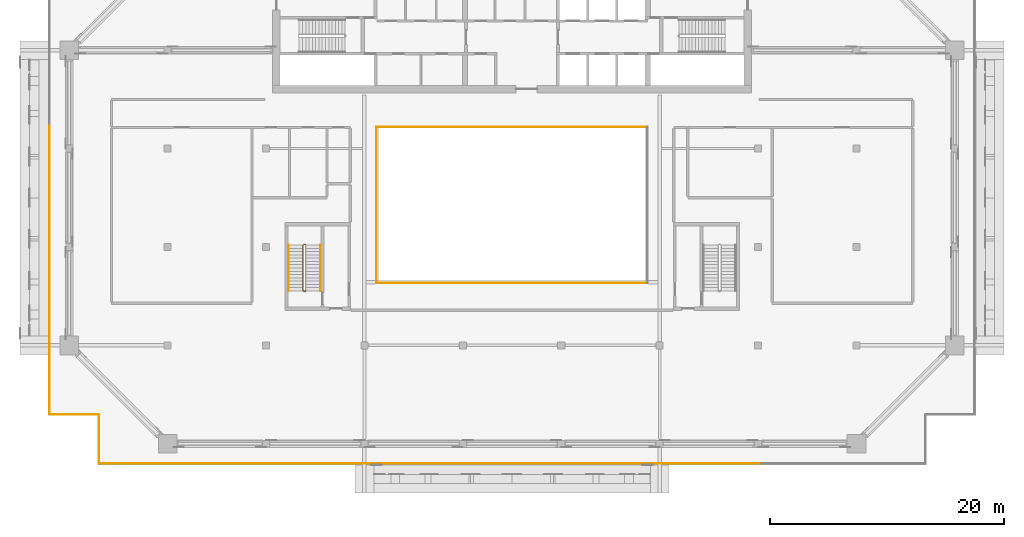
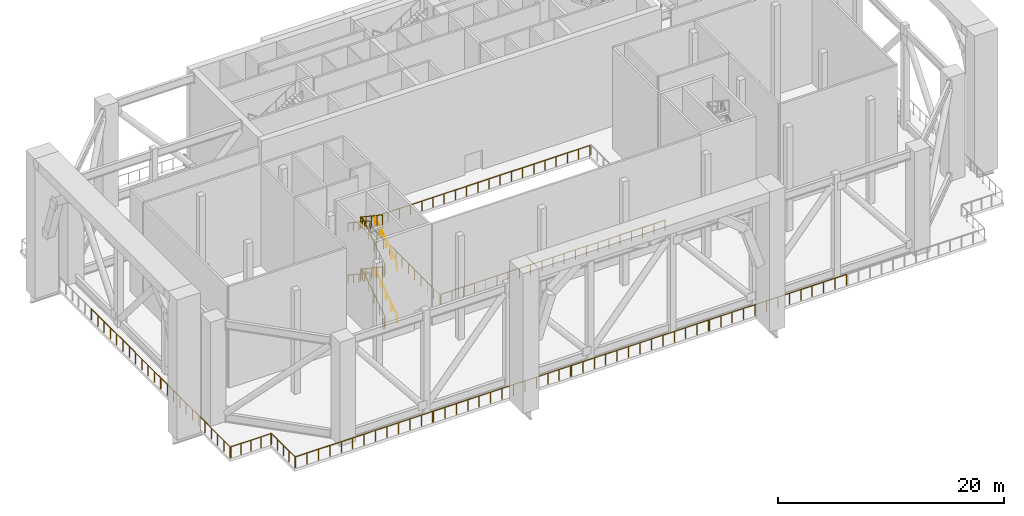
# One storey, part 16 of 19: 16 railings.
"""IFC4 building model written with IfcOpenShell, lengths in metres."""

from ifc_helpers import new_model, si_unit, direction, frame, origin, origin_2d, place, context, subcontext, project, spatial, circle, extrude, material, type_object, element, save


model = new_model("IFC4")

# Units and contexts
model_context = context("Model", 3, precision=1e-05, world=origin(), true_north=direction((0.0, 1.0)))
body_context = subcontext(model_context, "Body", "Model", "MODEL_VIEW")
ifc_project = project(units=[si_unit("LENGTHUNIT", "METRE"), si_unit("AREAUNIT", "SQUARE_METRE"), si_unit("VOLUMEUNIT", "CUBIC_METRE"), si_unit("PLANEANGLEUNIT", "RADIAN"), si_unit("MASSUNIT", "GRAM", prefix="KILO")], contexts=[model_context])

# Site, building, storey
site_placement = place(None, origin())
site = spatial("IfcSite", under=ifc_project, at=site_placement, CompositionType="ELEMENT")
building_placement = place(site_placement, origin())
building = spatial("IfcBuilding", under=site, at=building_placement, Name="Saffron Gate Tower", CompositionType="ELEMENT")
storey_placement = place(building_placement, frame((0.0, 0.0, 194.25)))
storey = spatial("IfcBuildingStorey", under=building, at=storey_placement, Name="L48", CompositionType="ELEMENT", Elevation=194.25)

# Railings
ifc_material_1 = material(Name="Stainless steel and laminated glass", Category="steel")
railing_type_1 = type_object("IfcRailingType", Name="AG1 Atrium edge guard 1100", PredefinedType="GUARDRAIL", material=ifc_material_1)
railing_1_placement = place(storey_placement, frame((76.02001953125, 45.5400390625, 0.0)))
element("IfcRailing", 1, at=railing_1_placement, inside=storey, type_object=railing_type_1, Name="Guard X2-1", PredefinedType="GUARDRAIL", context=body_context, shape_type="SweptSolid", body=[
    extrude(circle(Radius=0.02392578125, at=origin_2d()), frame((0.0, 0.0, 1.076171875), z_axis=(0.0, 1.0, 0.0), x_axis=(-1.0, 0.0, 0.0)), (0.0, 0.0, 1.0), 13.320068359375),
    extrude(circle(Radius=0.02099609375, at=origin_2d()), origin(), (0.0, 0.0, 1.0), 1.052001953125),
    extrude(circle(Radius=0.02099609375, at=origin_2d()), frame((0.0, 1.110107421875, 0.0)), (0.0, 0.0, 1.0), 1.052001953125),
    extrude(circle(Radius=0.02099609375, at=origin_2d()), frame((0.0, 2.219970703125, 0.0)), (0.0, 0.0, 1.0), 1.052001953125),
    extrude(circle(Radius=0.02099609375, at=origin_2d()), frame((0.0, 3.330078125, 0.0)), (0.0, 0.0, 1.0), 1.052001953125),
    extrude(circle(Radius=0.02099609375, at=origin_2d()), frame((0.0, 4.43994140625, 0.0)), (0.0, 0.0, 1.0), 1.052001953125),
    extrude(circle(Radius=0.02099609375, at=origin_2d()), frame((0.0, 5.550048828125, 0.0)), (0.0, 0.0, 1.0), 1.052001953125),
    extrude(circle(Radius=0.02099609375, at=origin_2d()), frame((0.0, 6.66015625, 0.0)), (0.0, 0.0, 1.0), 1.052001953125),
    extrude(circle(Radius=0.02099609375, at=origin_2d()), frame((0.0, 7.77001953125, 0.0)), (0.0, 0.0, 1.0), 1.052001953125),
    extrude(circle(Radius=0.02099609375, at=origin_2d()), frame((0.0, 8.880126953125, 0.0)), (0.0, 0.0, 1.0), 1.052001953125),
    extrude(circle(Radius=0.02099609375, at=origin_2d()), frame((0.0, 9.989990234375, 0.0)), (0.0, 0.0, 1.0), 1.052001953125),
    extrude(circle(Radius=0.02099609375, at=origin_2d()), frame((0.0, 11.10009765625, 0.0)), (0.0, 0.0, 1.0), 1.052001953125),
    extrude(circle(Radius=0.02099609375, at=origin_2d()), frame((0.0, 12.2099609375, 0.0)), (0.0, 0.0, 1.0), 1.052001953125),
    extrude(circle(Radius=0.02099609375, at=origin_2d()), frame((0.0, 13.320068359375, 0.0)), (0.0, 0.0, 1.0), 1.052001953125),
])
railing_2_placement = place(storey_placement, frame((76.139892578125, 58.860107421875, 0.0)))
element("IfcRailing", 2, at=railing_2_placement, inside=storey, type_object=railing_type_1, Name="Guard X2-2", PredefinedType="GUARDRAIL", context=body_context, shape_type="SweptSolid", body=[
    extrude(circle(Radius=0.02392578125, at=origin_2d()), frame((0.0, 0.0, 1.076171875), z_axis=(1.0, 0.0, 0.0), x_axis=(0.0, 1.0, 0.0)), (0.0, 0.0, 1.0), 22.920166015625),
    extrude(circle(Radius=0.02099609375, at=origin_2d()), origin(), (0.0, 0.0, 1.0), 1.052001953125),
    extrude(circle(Radius=0.02099609375, at=origin_2d()), frame((1.14599609375, 0.0, 0.0)), (0.0, 0.0, 1.0), 1.052001953125),
    extrude(circle(Radius=0.02099609375, at=origin_2d()), frame((2.2919921875, 0.0, 0.0)), (0.0, 0.0, 1.0), 1.052001953125),
    extrude(circle(Radius=0.02099609375, at=origin_2d()), frame((3.43798828125, 0.0, 0.0)), (0.0, 0.0, 1.0), 1.052001953125),
    extrude(circle(Radius=0.02099609375, at=origin_2d()), frame((4.583984375, 0.0, 0.0)), (0.0, 0.0, 1.0), 1.052001953125),
    extrude(circle(Radius=0.02099609375, at=origin_2d()), frame((5.72998046875, 0.0, 0.0)), (0.0, 0.0, 1.0), 1.052001953125),
    extrude(circle(Radius=0.02099609375, at=origin_2d()), frame((6.8759765625, 0.0, 0.0)), (0.0, 0.0, 1.0), 1.052001953125),
    extrude(circle(Radius=0.02099609375, at=origin_2d()), frame((8.02197265625, 0.0, 0.0)), (0.0, 0.0, 1.0), 1.052001953125),
    extrude(circle(Radius=0.02099609375, at=origin_2d()), frame((9.16796875, 0.0, 0.0)), (0.0, 0.0, 1.0), 1.052001953125),
    extrude(circle(Radius=0.02099609375, at=origin_2d()), frame((10.31396484375, 0.0, 0.0)), (0.0, 0.0, 1.0), 1.052001953125),
    extrude(circle(Radius=0.02099609375, at=origin_2d()), frame((11.4599609375, 0.0, 0.0)), (0.0, 0.0, 1.0), 1.052001953125),
    extrude(circle(Radius=0.02099609375, at=origin_2d()), frame((12.606201171875, 0.0, 0.0)), (0.0, 0.0, 1.0), 1.052001953125),
    extrude(circle(Radius=0.02099609375, at=origin_2d()), frame((13.752197265625, 0.0, 0.0)), (0.0, 0.0, 1.0), 1.052001953125),
    extrude(circle(Radius=0.02099609375, at=origin_2d()), frame((14.898193359375, 0.0, 0.0)), (0.0, 0.0, 1.0), 1.052001953125),
    extrude(circle(Radius=0.02099609375, at=origin_2d()), frame((16.044189453125, 0.0, 0.0)), (0.0, 0.0, 1.0), 1.052001953125),
    extrude(circle(Radius=0.02099609375, at=origin_2d()), frame((17.190185546875, 0.0, 0.0)), (0.0, 0.0, 1.0), 1.052001953125),
    extrude(circle(Radius=0.02099609375, at=origin_2d()), frame((18.336181640625, 0.0, 0.0)), (0.0, 0.0, 1.0), 1.052001953125),
    extrude(circle(Radius=0.02099609375, at=origin_2d()), frame((19.482177734375, 0.0, 0.0)), (0.0, 0.0, 1.0), 1.052001953125),
    extrude(circle(Radius=0.02099609375, at=origin_2d()), frame((20.628173828125, 0.0, 0.0)), (0.0, 0.0, 1.0), 1.052001953125),
    extrude(circle(Radius=0.02099609375, at=origin_2d()), frame((21.774169921875, 0.0, 0.0)), (0.0, 0.0, 1.0), 1.052001953125),
    extrude(circle(Radius=0.02099609375, at=origin_2d()), frame((22.920166015625, 0.0, 0.0)), (0.0, 0.0, 1.0), 1.052001953125),
])
railing_3_placement = place(storey_placement, frame((99.06005859375, 45.5400390625, 0.0)))
element("IfcRailing", 3, at=railing_3_placement, inside=storey, type_object=railing_type_1, Name="Guard X2-4", PredefinedType="GUARDRAIL", context=body_context, shape_type="SweptSolid", body=[
    extrude(circle(Radius=0.02392578125, at=origin_2d()), frame((0.0, 0.0, 1.076171875), z_axis=(-1.0, 0.0, 0.0), x_axis=(0.0, -1.0, 0.0)), (0.0, 0.0, 1.0), 22.920166015625),
    extrude(circle(Radius=0.02099609375, at=origin_2d()), origin(), (0.0, 0.0, 1.0), 1.052001953125),
    extrude(circle(Radius=0.02099609375, at=origin_2d()), frame((-1.14599609375, 0.0, 0.0)), (0.0, 0.0, 1.0), 1.052001953125),
    extrude(circle(Radius=0.02099609375, at=origin_2d()), frame((-2.2919921875, 0.0, 0.0)), (0.0, 0.0, 1.0), 1.052001953125),
    extrude(circle(Radius=0.02099609375, at=origin_2d()), frame((-3.43798828125, 0.0, 0.0)), (0.0, 0.0, 1.0), 1.052001953125),
    extrude(circle(Radius=0.02099609375, at=origin_2d()), frame((-4.583984375, 0.0, 0.0)), (0.0, 0.0, 1.0), 1.052001953125),
    extrude(circle(Radius=0.02099609375, at=origin_2d()), frame((-5.72998046875, 0.0, 0.0)), (0.0, 0.0, 1.0), 1.052001953125),
    extrude(circle(Radius=0.02099609375, at=origin_2d()), frame((-6.8759765625, 0.0, 0.0)), (0.0, 0.0, 1.0), 1.052001953125),
    extrude(circle(Radius=0.02099609375, at=origin_2d()), frame((-8.02197265625, 0.0, 0.0)), (0.0, 0.0, 1.0), 1.052001953125),
    extrude(circle(Radius=0.02099609375, at=origin_2d()), frame((-9.16796875, 0.0, 0.0)), (0.0, 0.0, 1.0), 1.052001953125),
    extrude(circle(Radius=0.02099609375, at=origin_2d()), frame((-10.31396484375, 0.0, 0.0)), (0.0, 0.0, 1.0), 1.052001953125),
    extrude(circle(Radius=0.02099609375, at=origin_2d()), frame((-11.4599609375, 0.0, 0.0)), (0.0, 0.0, 1.0), 1.052001953125),
    extrude(circle(Radius=0.02099609375, at=origin_2d()), frame((-12.606201171875, 0.0, 0.0)), (0.0, 0.0, 1.0), 1.052001953125),
    extrude(circle(Radius=0.02099609375, at=origin_2d()), frame((-13.752197265625, 0.0, 0.0)), (0.0, 0.0, 1.0), 1.052001953125),
    extrude(circle(Radius=0.02099609375, at=origin_2d()), frame((-14.898193359375, 0.0, 0.0)), (0.0, 0.0, 1.0), 1.052001953125),
    extrude(circle(Radius=0.02099609375, at=origin_2d()), frame((-16.044189453125, 0.0, 0.0)), (0.0, 0.0, 1.0), 1.052001953125),
    extrude(circle(Radius=0.02099609375, at=origin_2d()), frame((-17.190185546875, 0.0, 0.0)), (0.0, 0.0, 1.0), 1.052001953125),
    extrude(circle(Radius=0.02099609375, at=origin_2d()), frame((-18.336181640625, 0.0, 0.0)), (0.0, 0.0, 1.0), 1.052001953125),
    extrude(circle(Radius=0.02099609375, at=origin_2d()), frame((-19.482177734375, 0.0, 0.0)), (0.0, 0.0, 1.0), 1.052001953125),
    extrude(circle(Radius=0.02099609375, at=origin_2d()), frame((-20.628173828125, 0.0, 0.0)), (0.0, 0.0, 1.0), 1.052001953125),
    extrude(circle(Radius=0.02099609375, at=origin_2d()), frame((-21.774169921875, 0.0, 0.0)), (0.0, 0.0, 1.0), 1.052001953125),
    extrude(circle(Radius=0.02099609375, at=origin_2d()), frame((-22.920166015625, 0.0, 0.0)), (0.0, 0.0, 1.0), 1.052001953125),
])
ifc_material_2 = material(Name="Stainless steel posts and toughened glass infill", Category="steel")
railing_type_2 = type_object("IfcRailingType", Name="BAL1 balustrade 1200", PredefinedType="BALUSTRADE", material=ifc_material_2)
for number, where, name in (
    (4, (48.1201171875, 58.919921875, 0.0), "GUARD portal deck edge"),
    (5, (48.1201171875, 46.60009765625, 0.0), "GUARD portal deck edge"),
):
    element("IfcRailing", number, at=place(storey_placement, frame(where)), inside=storey, type_object=railing_type_2, Name=name, PredefinedType="BALUSTRADE", context=body_context, shape_type="SweptSolid", body=[
        extrude(circle(Radius=0.02392578125, at=origin_2d()), frame((0.0, 0.0, 1.17578125), z_axis=(0.0, -1.0, 0.0), x_axis=(1.0, 0.0, 0.0)), (0.0, 0.0, 1.0), 12.239990234375),
        extrude(circle(Radius=0.02099609375, at=origin_2d()), origin(), (0.0, 0.0, 1.0), 1.15185546875),
        extrude(circle(Radius=0.02099609375, at=origin_2d()), frame((0.0, -1.11279296875, 0.0)), (0.0, 0.0, 1.0), 1.15185546875),
        extrude(circle(Radius=0.02099609375, at=origin_2d()), frame((0.0, -2.225341796875, 0.0)), (0.0, 0.0, 1.0), 1.15185546875),
        extrude(circle(Radius=0.02099609375, at=origin_2d()), frame((0.0, -3.338134765625, 0.0)), (0.0, 0.0, 1.0), 1.15185546875),
        extrude(circle(Radius=0.02099609375, at=origin_2d()), frame((0.0, -4.450927734375, 0.0)), (0.0, 0.0, 1.0), 1.15185546875),
        extrude(circle(Radius=0.02099609375, at=origin_2d()), frame((0.0, -5.563720703125, 0.0)), (0.0, 0.0, 1.0), 1.15185546875),
        extrude(circle(Radius=0.02099609375, at=origin_2d()), frame((0.0, -6.67626953125, 0.0)), (0.0, 0.0, 1.0), 1.15185546875),
        extrude(circle(Radius=0.02099609375, at=origin_2d()), frame((0.0, -7.7890625, 0.0)), (0.0, 0.0, 1.0), 1.15185546875),
        extrude(circle(Radius=0.02099609375, at=origin_2d()), frame((0.0, -8.90185546875, 0.0)), (0.0, 0.0, 1.0), 1.15185546875),
        extrude(circle(Radius=0.02099609375, at=origin_2d()), frame((0.0, -10.0146484375, 0.0)), (0.0, 0.0, 1.0), 1.15185546875),
        extrude(circle(Radius=0.02099609375, at=origin_2d()), frame((0.0, -11.127197265625, 0.0)), (0.0, 0.0, 1.0), 1.15185546875),
        extrude(circle(Radius=0.02099609375, at=origin_2d()), frame((0.0, -12.239990234375, 0.0)), (0.0, 0.0, 1.0), 1.15185546875),
    ])
railing_4_placement = place(storey_placement, frame((48.159912109375, 34.320068359375, 0.0)))
element("IfcRailing", 6, at=railing_4_placement, inside=storey, type_object=railing_type_2, Name="GUARD portal deck edge", PredefinedType="BALUSTRADE", context=body_context, shape_type="SweptSolid", body=[
    extrude(circle(Radius=0.02392578125, at=origin_2d()), frame((0.0, 0.0, 1.17578125), z_axis=(1.0, 0.0, 0.0), x_axis=(0.0, 1.0, 0.0)), (0.0, 0.0, 1.0), 4.1201171875),
    extrude(circle(Radius=0.02099609375, at=origin_2d()), origin(), (0.0, 0.0, 1.0), 1.15185546875),
    extrude(circle(Radius=0.02099609375, at=origin_2d()), frame((1.030029296875, 0.0, 0.0)), (0.0, 0.0, 1.0), 1.15185546875),
    extrude(circle(Radius=0.02099609375, at=origin_2d()), frame((2.06005859375, 0.0, 0.0)), (0.0, 0.0, 1.0), 1.15185546875),
    extrude(circle(Radius=0.02099609375, at=origin_2d()), frame((3.090087890625, 0.0, 0.0)), (0.0, 0.0, 1.0), 1.15185546875),
    extrude(circle(Radius=0.02099609375, at=origin_2d()), frame((4.1201171875, 0.0, 0.0)), (0.0, 0.0, 1.0), 1.15185546875),
])
railing_5_placement = place(storey_placement, frame((52.320068359375, 34.280029296875, 0.0)))
element("IfcRailing", 7, at=railing_5_placement, inside=storey, type_object=railing_type_2, Name="GUARD portal deck edge", PredefinedType="BALUSTRADE", context=body_context, shape_type="SweptSolid", body=[
    extrude(circle(Radius=0.02392578125, at=origin_2d()), frame((0.0, 0.0, 1.17578125), z_axis=(0.0, -1.0, 0.0), x_axis=(1.0, 0.0, 0.0)), (0.0, 0.0, 1.0), 4.1201171875),
    extrude(circle(Radius=0.02099609375, at=origin_2d()), origin(), (0.0, 0.0, 1.0), 1.15185546875),
    extrude(circle(Radius=0.02099609375, at=origin_2d()), frame((0.0, -1.030029296875, 0.0)), (0.0, 0.0, 1.0), 1.15185546875),
    extrude(circle(Radius=0.02099609375, at=origin_2d()), frame((0.0, -2.06005859375, 0.0)), (0.0, 0.0, 1.0), 1.15185546875),
    extrude(circle(Radius=0.02099609375, at=origin_2d()), frame((0.0, -3.090087890625, 0.0)), (0.0, 0.0, 1.0), 1.15185546875),
    extrude(circle(Radius=0.02099609375, at=origin_2d()), frame((0.0, -4.1201171875, 0.0)), (0.0, 0.0, 1.0), 1.15185546875),
])
railing_6_placement = place(storey_placement, frame((52.360107421875, 30.1201171875, 0.0)))
element("IfcRailing", 8, at=railing_6_placement, inside=storey, type_object=railing_type_2, Name="GUARD portal deck edge", PredefinedType="BALUSTRADE", context=body_context, shape_type="SweptSolid", body=[
    extrude(circle(Radius=0.02392578125, at=origin_2d()), frame((0.0, 0.0, 1.17578125), z_axis=(1.0, 0.0, 0.0), x_axis=(0.0, 1.0, 0.0)), (0.0, 0.0, 1.0), 14.031982421875),
    extrude(circle(Radius=0.02099609375, at=origin_2d()), origin(), (0.0, 0.0, 1.0), 1.15185546875),
    extrude(circle(Radius=0.02099609375, at=origin_2d()), frame((1.16943359375, 0.0, 0.0)), (0.0, 0.0, 1.0), 1.15185546875),
    extrude(circle(Radius=0.02099609375, at=origin_2d()), frame((2.338623046875, 0.0, 0.0)), (0.0, 0.0, 1.0), 1.15185546875),
    extrude(circle(Radius=0.02099609375, at=origin_2d()), frame((3.508056640625, 0.0, 0.0)), (0.0, 0.0, 1.0), 1.15185546875),
    extrude(circle(Radius=0.02099609375, at=origin_2d()), frame((4.67724609375, 0.0, 0.0)), (0.0, 0.0, 1.0), 1.15185546875),
    extrude(circle(Radius=0.02099609375, at=origin_2d()), frame((5.8466796875, 0.0, 0.0)), (0.0, 0.0, 1.0), 1.15185546875),
    extrude(circle(Radius=0.02099609375, at=origin_2d()), frame((7.01611328125, 0.0, 0.0)), (0.0, 0.0, 1.0), 1.15185546875),
    extrude(circle(Radius=0.02099609375, at=origin_2d()), frame((8.185302734375, 0.0, 0.0)), (0.0, 0.0, 1.0), 1.15185546875),
    extrude(circle(Radius=0.02099609375, at=origin_2d()), frame((9.354736328125, 0.0, 0.0)), (0.0, 0.0, 1.0), 1.15185546875),
    extrude(circle(Radius=0.02099609375, at=origin_2d()), frame((10.52392578125, 0.0, 0.0)), (0.0, 0.0, 1.0), 1.15185546875),
    extrude(circle(Radius=0.02099609375, at=origin_2d()), frame((11.693359375, 0.0, 0.0)), (0.0, 0.0, 1.0), 1.15185546875),
    extrude(circle(Radius=0.02099609375, at=origin_2d()), frame((12.862548828125, 0.0, 0.0)), (0.0, 0.0, 1.0), 1.15185546875),
    extrude(circle(Radius=0.02099609375, at=origin_2d()), frame((14.031982421875, 0.0, 0.0)), (0.0, 0.0, 1.0), 1.15185546875),
])
railing_7_placement = place(storey_placement, frame((66.471923828125, 30.1201171875, 0.0)))
element("IfcRailing", 9, at=railing_7_placement, inside=storey, type_object=railing_type_2, Name="GUARD portal deck edge", PredefinedType="BALUSTRADE", context=body_context, shape_type="SweptSolid", body=[
    extrude(circle(Radius=0.02392578125, at=origin_2d()), frame((0.0, 0.0, 1.17578125), z_axis=(1.0, 0.0, 0.0), x_axis=(0.0, 1.0, 0.0)), (0.0, 0.0, 1.0), 14.031982421875),
    extrude(circle(Radius=0.02099609375, at=origin_2d()), origin(), (0.0, 0.0, 1.0), 1.15185546875),
    extrude(circle(Radius=0.02099609375, at=origin_2d()), frame((1.16943359375, 0.0, 0.0)), (0.0, 0.0, 1.0), 1.15185546875),
    extrude(circle(Radius=0.02099609375, at=origin_2d()), frame((2.338623046875, 0.0, 0.0)), (0.0, 0.0, 1.0), 1.15185546875),
    extrude(circle(Radius=0.02099609375, at=origin_2d()), frame((3.508056640625, 0.0, 0.0)), (0.0, 0.0, 1.0), 1.15185546875),
    extrude(circle(Radius=0.02099609375, at=origin_2d()), frame((4.67724609375, 0.0, 0.0)), (0.0, 0.0, 1.0), 1.15185546875),
    extrude(circle(Radius=0.02099609375, at=origin_2d()), frame((5.8466796875, 0.0, 0.0)), (0.0, 0.0, 1.0), 1.15185546875),
    extrude(circle(Radius=0.02099609375, at=origin_2d()), frame((7.01611328125, 0.0, 0.0)), (0.0, 0.0, 1.0), 1.15185546875),
    extrude(circle(Radius=0.02099609375, at=origin_2d()), frame((8.185302734375, 0.0, 0.0)), (0.0, 0.0, 1.0), 1.15185546875),
    extrude(circle(Radius=0.02099609375, at=origin_2d()), frame((9.354736328125, 0.0, 0.0)), (0.0, 0.0, 1.0), 1.15185546875),
    extrude(circle(Radius=0.02099609375, at=origin_2d()), frame((10.52392578125, 0.0, 0.0)), (0.0, 0.0, 1.0), 1.15185546875),
    extrude(circle(Radius=0.02099609375, at=origin_2d()), frame((11.693359375, 0.0, 0.0)), (0.0, 0.0, 1.0), 1.15185546875),
    extrude(circle(Radius=0.02099609375, at=origin_2d()), frame((12.862548828125, 0.0, 0.0)), (0.0, 0.0, 1.0), 1.15185546875),
    extrude(circle(Radius=0.02099609375, at=origin_2d()), frame((14.031982421875, 0.0, 0.0)), (0.0, 0.0, 1.0), 1.15185546875),
])
railing_8_placement = place(storey_placement, frame((80.583984375, 30.1201171875, 0.0)))
element("IfcRailing", 10, at=railing_8_placement, inside=storey, type_object=railing_type_2, Name="GUARD portal deck edge", PredefinedType="BALUSTRADE", context=body_context, shape_type="SweptSolid", body=[
    extrude(circle(Radius=0.02392578125, at=origin_2d()), frame((0.0, 0.0, 1.17578125), z_axis=(1.0, 0.0, 0.0), x_axis=(0.0, 1.0, 0.0)), (0.0, 0.0, 1.0), 14.031982421875),
    extrude(circle(Radius=0.02099609375, at=origin_2d()), origin(), (0.0, 0.0, 1.0), 1.15185546875),
    extrude(circle(Radius=0.02099609375, at=origin_2d()), frame((1.16943359375, 0.0, 0.0)), (0.0, 0.0, 1.0), 1.15185546875),
    extrude(circle(Radius=0.02099609375, at=origin_2d()), frame((2.338623046875, 0.0, 0.0)), (0.0, 0.0, 1.0), 1.15185546875),
    extrude(circle(Radius=0.02099609375, at=origin_2d()), frame((3.508056640625, 0.0, 0.0)), (0.0, 0.0, 1.0), 1.15185546875),
    extrude(circle(Radius=0.02099609375, at=origin_2d()), frame((4.67724609375, 0.0, 0.0)), (0.0, 0.0, 1.0), 1.15185546875),
    extrude(circle(Radius=0.02099609375, at=origin_2d()), frame((5.8466796875, 0.0, 0.0)), (0.0, 0.0, 1.0), 1.15185546875),
    extrude(circle(Radius=0.02099609375, at=origin_2d()), frame((7.01611328125, 0.0, 0.0)), (0.0, 0.0, 1.0), 1.15185546875),
    extrude(circle(Radius=0.02099609375, at=origin_2d()), frame((8.185302734375, 0.0, 0.0)), (0.0, 0.0, 1.0), 1.15185546875),
    extrude(circle(Radius=0.02099609375, at=origin_2d()), frame((9.354736328125, 0.0, 0.0)), (0.0, 0.0, 1.0), 1.15185546875),
    extrude(circle(Radius=0.02099609375, at=origin_2d()), frame((10.52392578125, 0.0, 0.0)), (0.0, 0.0, 1.0), 1.15185546875),
    extrude(circle(Radius=0.02099609375, at=origin_2d()), frame((11.693359375, 0.0, 0.0)), (0.0, 0.0, 1.0), 1.15185546875),
    extrude(circle(Radius=0.02099609375, at=origin_2d()), frame((12.862548828125, 0.0, 0.0)), (0.0, 0.0, 1.0), 1.15185546875),
    extrude(circle(Radius=0.02099609375, at=origin_2d()), frame((14.031982421875, 0.0, 0.0)), (0.0, 0.0, 1.0), 1.15185546875),
])
railing_9_placement = place(storey_placement, frame((94.696044921875, 30.1201171875, 0.0)))
element("IfcRailing", 11, at=railing_9_placement, inside=storey, type_object=railing_type_2, Name="GUARD portal deck edge", PredefinedType="BALUSTRADE", context=body_context, shape_type="SweptSolid", body=[
    extrude(circle(Radius=0.02392578125, at=origin_2d()), frame((0.0, 0.0, 1.17578125), z_axis=(1.0, 0.0, 0.0), x_axis=(0.0, 1.0, 0.0)), (0.0, 0.0, 1.0), 14.031982421875),
    extrude(circle(Radius=0.02099609375, at=origin_2d()), origin(), (0.0, 0.0, 1.0), 1.15185546875),
    extrude(circle(Radius=0.02099609375, at=origin_2d()), frame((1.16943359375, 0.0, 0.0)), (0.0, 0.0, 1.0), 1.15185546875),
    extrude(circle(Radius=0.02099609375, at=origin_2d()), frame((2.338623046875, 0.0, 0.0)), (0.0, 0.0, 1.0), 1.15185546875),
    extrude(circle(Radius=0.02099609375, at=origin_2d()), frame((3.508056640625, 0.0, 0.0)), (0.0, 0.0, 1.0), 1.15185546875),
    extrude(circle(Radius=0.02099609375, at=origin_2d()), frame((4.67724609375, 0.0, 0.0)), (0.0, 0.0, 1.0), 1.15185546875),
    extrude(circle(Radius=0.02099609375, at=origin_2d()), frame((5.8466796875, 0.0, 0.0)), (0.0, 0.0, 1.0), 1.15185546875),
    extrude(circle(Radius=0.02099609375, at=origin_2d()), frame((7.01611328125, 0.0, 0.0)), (0.0, 0.0, 1.0), 1.15185546875),
    extrude(circle(Radius=0.02099609375, at=origin_2d()), frame((8.185302734375, 0.0, 0.0)), (0.0, 0.0, 1.0), 1.15185546875),
    extrude(circle(Radius=0.02099609375, at=origin_2d()), frame((9.354736328125, 0.0, 0.0)), (0.0, 0.0, 1.0), 1.15185546875),
    extrude(circle(Radius=0.02099609375, at=origin_2d()), frame((10.52392578125, 0.0, 0.0)), (0.0, 0.0, 1.0), 1.15185546875),
    extrude(circle(Radius=0.02099609375, at=origin_2d()), frame((11.693359375, 0.0, 0.0)), (0.0, 0.0, 1.0), 1.15185546875),
    extrude(circle(Radius=0.02099609375, at=origin_2d()), frame((12.862548828125, 0.0, 0.0)), (0.0, 0.0, 1.0), 1.15185546875),
    extrude(circle(Radius=0.02099609375, at=origin_2d()), frame((14.031982421875, 0.0, 0.0)), (0.0, 0.0, 1.0), 1.15185546875),
])
railing_type_3 = type_object("IfcRailingType", Name="CR1 Stair guard 1100", PredefinedType="GUARDRAIL", material=ifc_material_1)
railing_10_placement = place(storey_placement, frame((69.800048828125, 44.800048828125, 0.0)))
element("IfcRailing", 12, at=railing_10_placement, inside=storey, type_object=railing_type_3, Name="L48 ST-D stair guard 1", PredefinedType="GUARDRAIL", context=body_context, shape_type="SweptSolid", body=[
    extrude(circle(Radius=0.02392578125, at=origin_2d()), frame((0.0, 0.0, 1.076171875), z_axis=(1.0, 0.0, 0.0), x_axis=(0.0, 1.0, 0.0)), (0.0, 0.0, 1.0), 0.14990234375),
    extrude(circle(Radius=0.02392578125, at=origin_2d()), frame((0.14990234375, 0.0, 1.076171875), z_axis=(0.249726431254, 0.249726431254, 0.935560483917), x_axis=(-0.707106781187, 0.707106781187, 0.0)), (0.0, 0.0, 1.0), 0.200439453125),
    extrude(circle(Radius=0.02392578125, at=origin_2d()), frame((0.199951171875, 0.050048828125, 1.263671875), z_axis=(0.0, 0.830902050051, 0.556418712142), x_axis=(-1.0, 0.0, 0.0)), (0.0, 0.0, 1.0), 4.7177734375),
    extrude(circle(Radius=0.02392578125, at=origin_2d()), frame((0.199951171875, 3.969970703125, 3.888671875), z_axis=(-0.707106781187, 0.707106781187, 0.0), x_axis=(-0.707106781187, -0.707106781187, 0.0)), (0.0, 0.0, 1.0), 0.07080078125),
    extrude(circle(Radius=0.02392578125, at=origin_2d()), frame((0.14990234375, 4.02001953125, 3.888671875), z_axis=(-1.0, 0.0, 0.0), x_axis=(0.0, -1.0, 0.0)), (0.0, 0.0, 1.0), 0.14990234375),
    extrude(circle(Radius=0.02392578125, at=origin_2d()), frame((0.0, 4.02001953125, 3.888671875), z_axis=(-0.249726431254, -0.249726431254, 0.935560483917), x_axis=(0.707106781187, -0.707106781187, 0.0)), (0.0, 0.0, 1.0), 0.200439453125),
    extrude(circle(Radius=0.02392578125, at=origin_2d()), frame((-0.050048828125, 3.969970703125, 4.076171875), z_axis=(0.0, -0.830902050051, 0.556418712142), x_axis=(1.0, 0.0, 0.0)), (0.0, 0.0, 1.0), 4.7177734375),
    extrude(circle(Radius=0.02392578125, at=origin_2d()), frame((-0.050048828125, 0.050048828125, 6.701171875), z_axis=(0.707106781187, -0.707106781187, 0.0), x_axis=(0.707106781187, 0.707106781187, 0.0)), (0.0, 0.0, 1.0), 0.07080078125),
    extrude(circle(Radius=0.02392578125, at=origin_2d()), frame((0.0, 0.0, 6.701171875), z_axis=(1.0, 0.0, 0.0), x_axis=(0.0, 1.0, 0.0)), (0.0, 0.0, 1.0), 0.14990234375),
    extrude(circle(Radius=0.02392578125, at=origin_2d()), frame((0.14990234375, 0.0, 6.701171875), z_axis=(0.249726431254, 0.249726431254, 0.935560483917), x_axis=(-0.707106781187, 0.707106781187, 0.0)), (0.0, 0.0, 1.0), 0.200439453125),
    extrude(circle(Radius=0.02392578125, at=origin_2d()), frame((0.199951171875, 0.050048828125, 6.888671875), z_axis=(0.0, 0.830902050051, 0.556418712142), x_axis=(-1.0, 0.0, 0.0)), (0.0, 0.0, 1.0), 4.7177734375),
    extrude(circle(Radius=0.02392578125, at=origin_2d()), frame((0.199951171875, 3.969970703125, 9.513671875), z_axis=(-0.707106781187, 0.707106781187, 0.0), x_axis=(-0.707106781187, -0.707106781187, 0.0)), (0.0, 0.0, 1.0), 0.07080078125),
    extrude(circle(Radius=0.02392578125, at=origin_2d()), frame((0.14990234375, 4.02001953125, 9.513671875), z_axis=(-1.0, 0.0, 0.0), x_axis=(0.0, -1.0, 0.0)), (0.0, 0.0, 1.0), 0.14990234375),
    extrude(circle(Radius=0.02392578125, at=origin_2d()), frame((0.0, 4.02001953125, 9.513671875), z_axis=(-0.249726431254, -0.249726431254, 0.935560483917), x_axis=(0.707106781187, -0.707106781187, 0.0)), (0.0, 0.0, 1.0), 0.200439453125),
    extrude(circle(Radius=0.02392578125, at=origin_2d()), frame((-0.050048828125, 3.969970703125, 9.701171875), z_axis=(0.0, -0.830902050051, 0.556418712142), x_axis=(1.0, 0.0, 0.0)), (0.0, 0.0, 1.0), 4.7177734375),
    extrude(circle(Radius=0.02099609375, at=origin_2d()), origin(), (0.0, 0.0, 1.0), 1.052001953125),
    extrude(circle(Radius=0.02099609375, at=origin_2d()), frame((0.14990234375, 0.0, 0.0)), (0.0, 0.0, 1.0), 1.052001953125),
    extrude(circle(Radius=0.02099609375, at=origin_2d()), frame((0.199951171875, 0.050048828125, 0.1875)), (0.0, 0.0, 1.0), 1.052001953125),
    extrude(circle(Radius=0.02099609375, at=origin_2d()), frame((0.199951171875, 1.030029296875, 0.84375)), (0.0, 0.0, 1.0), 1.052001953125),
    extrude(circle(Radius=0.02099609375, at=origin_2d()), frame((0.199951171875, 2.010009765625, 1.5)), (0.0, 0.0, 1.0), 1.052001953125),
    extrude(circle(Radius=0.02099609375, at=origin_2d()), frame((0.199951171875, 2.989990234375, 2.15625)), (0.0, 0.0, 1.0), 1.052001953125),
    extrude(circle(Radius=0.02099609375, at=origin_2d()), frame((0.199951171875, 3.969970703125, 2.8125)), (0.0, 0.0, 1.0), 1.052001953125),
    extrude(circle(Radius=0.02099609375, at=origin_2d()), frame((0.14990234375, 4.02001953125, 2.8125)), (0.0, 0.0, 1.0), 1.052001953125),
    extrude(circle(Radius=0.02099609375, at=origin_2d()), frame((0.0, 4.02001953125, 2.8125)), (0.0, 0.0, 1.0), 1.052001953125),
    extrude(circle(Radius=0.02099609375, at=origin_2d()), frame((-0.050048828125, 3.969970703125, 3.0)), (0.0, 0.0, 1.0), 1.052001953125),
    extrude(circle(Radius=0.02099609375, at=origin_2d()), frame((-0.050048828125, 2.989990234375, 3.65625)), (0.0, 0.0, 1.0), 1.052001953125),
    extrude(circle(Radius=0.02099609375, at=origin_2d()), frame((-0.050048828125, 2.010009765625, 4.3125)), (0.0, 0.0, 1.0), 1.052001953125),
    extrude(circle(Radius=0.02099609375, at=origin_2d()), frame((-0.050048828125, 1.030029296875, 4.96875)), (0.0, 0.0, 1.0), 1.052001953125),
    extrude(circle(Radius=0.02099609375, at=origin_2d()), frame((-0.050048828125, 0.050048828125, 5.625)), (0.0, 0.0, 1.0), 1.052001953125),
    extrude(circle(Radius=0.02099609375, at=origin_2d()), frame((0.0, 0.0, 5.625)), (0.0, 0.0, 1.0), 1.052001953125),
    extrude(circle(Radius=0.02099609375, at=origin_2d()), frame((0.14990234375, 0.0, 5.625)), (0.0, 0.0, 1.0), 1.052001953125),
    extrude(circle(Radius=0.02099609375, at=origin_2d()), frame((0.199951171875, 0.050048828125, 5.8125)), (0.0, 0.0, 1.0), 1.052001953125),
    extrude(circle(Radius=0.02099609375, at=origin_2d()), frame((0.199951171875, 1.030029296875, 6.46875)), (0.0, 0.0, 1.0), 1.052001953125),
    extrude(circle(Radius=0.02099609375, at=origin_2d()), frame((0.199951171875, 2.010009765625, 7.125)), (0.0, 0.0, 1.0), 1.052001953125),
    extrude(circle(Radius=0.02099609375, at=origin_2d()), frame((0.199951171875, 2.989990234375, 7.78125)), (0.0, 0.0, 1.0), 1.052001953125),
    extrude(circle(Radius=0.02099609375, at=origin_2d()), frame((0.199951171875, 3.969970703125, 8.4375)), (0.0, 0.0, 1.0), 1.052001953125),
    extrude(circle(Radius=0.02099609375, at=origin_2d()), frame((0.14990234375, 4.02001953125, 8.4375)), (0.0, 0.0, 1.0), 1.052001953125),
    extrude(circle(Radius=0.02099609375, at=origin_2d()), frame((0.0, 4.02001953125, 8.4375)), (0.0, 0.0, 1.0), 1.052001953125),
    extrude(circle(Radius=0.02099609375, at=origin_2d()), frame((-0.050048828125, 3.969970703125, 8.625)), (0.0, 0.0, 1.0), 1.052001953125),
    extrude(circle(Radius=0.02099609375, at=origin_2d()), frame((-0.050048828125, 2.989990234375, 9.28125)), (0.0, 0.0, 1.0), 1.052001953125),
    extrude(circle(Radius=0.02099609375, at=origin_2d()), frame((-0.050048828125, 2.010009765625, 9.9375)), (0.0, 0.0, 1.0), 1.052001953125),
    extrude(circle(Radius=0.02099609375, at=origin_2d()), frame((-0.050048828125, 1.030029296875, 10.59375)), (0.0, 0.0, 1.0), 1.052001953125),
    extrude(circle(Radius=0.02099609375, at=origin_2d()), frame((-0.050048828125, 0.050048828125, 11.25)), (0.0, 0.0, 1.0), 1.052001953125),
])
ifc_material_3 = material(Name="Stainless steel", Category="steel")
railing_type_4 = type_object("IfcRailingType", Name="CR2 Stair handrail 900", PredefinedType="HANDRAIL", material=ifc_material_3)
railing_11_placement = place(storey_placement, frame((71.25, 44.85009765625, 0.1875)))
element("IfcRailing", 13, at=railing_11_placement, inside=storey, type_object=railing_type_4, Name="L48 ST-D stair handrail 1", PredefinedType="HANDRAIL", context=body_context, shape_type="SweptSolid", body=[
    extrude(circle(Radius=0.02392578125, at=origin_2d()), frame((0.0, 0.0, 0.8759765625), z_axis=(0.0, 0.830902050051, 0.556418712142), x_axis=(-1.0, 0.0, 0.0)), (0.0, 0.0, 1.0), 4.7177734375),
    extrude(circle(Radius=0.02099609375, at=origin_2d()), origin(), (0.0, 0.0, 1.0), 0.851806640625),
    extrude(circle(Radius=0.02099609375, at=origin_2d()), frame((0.0, 0.97998046875, 0.65625)), (0.0, 0.0, 1.0), 0.851806640625),
    extrude(circle(Radius=0.02099609375, at=origin_2d()), frame((0.0, 1.9599609375, 1.3125)), (0.0, 0.0, 1.0), 0.851806640625),
    extrude(circle(Radius=0.02099609375, at=origin_2d()), frame((0.0, 2.93994140625, 1.96875)), (0.0, 0.0, 1.0), 0.851806640625),
    extrude(circle(Radius=0.02099609375, at=origin_2d()), frame((0.0, 3.919921875, 2.625)), (0.0, 0.0, 1.0), 0.851806640625),
])
railing_12_placement = place(storey_placement, frame((68.5, 48.77001953125, 3.0)))
element("IfcRailing", 14, at=railing_12_placement, inside=storey, type_object=railing_type_4, Name="L48 ST-D stair handrail 2", PredefinedType="HANDRAIL", context=body_context, shape_type="SweptSolid", body=[
    extrude(circle(Radius=0.02392578125, at=origin_2d()), frame((0.0, 0.0, 0.8759765625), z_axis=(0.0, -0.830902050051, 0.556418712142), x_axis=(1.0, 0.0, 0.0)), (0.0, 0.0, 1.0), 4.7177734375),
    extrude(circle(Radius=0.02099609375, at=origin_2d()), origin(), (0.0, 0.0, 1.0), 0.851806640625),
    extrude(circle(Radius=0.02099609375, at=origin_2d()), frame((0.0, -0.97998046875, 0.65625)), (0.0, 0.0, 1.0), 0.851806640625),
    extrude(circle(Radius=0.02099609375, at=origin_2d()), frame((0.0, -1.9599609375, 1.3125)), (0.0, 0.0, 1.0), 0.851806640625),
    extrude(circle(Radius=0.02099609375, at=origin_2d()), frame((0.0, -2.93994140625, 1.96875)), (0.0, 0.0, 1.0), 0.851806640625),
    extrude(circle(Radius=0.02099609375, at=origin_2d()), frame((0.0, -3.919921875, 2.625)), (0.0, 0.0, 1.0), 0.851806640625),
])
railing_13_placement = place(storey_placement, frame((71.25, 44.85009765625, 5.8125)))
element("IfcRailing", 15, at=railing_13_placement, inside=storey, type_object=railing_type_4, Name="L48 ST-D stair handrail 3", PredefinedType="HANDRAIL", context=body_context, shape_type="SweptSolid", body=[
    extrude(circle(Radius=0.02392578125, at=origin_2d()), frame((0.0, 0.0, 0.8759765625), z_axis=(0.0, 0.830902050051, 0.556418712142), x_axis=(-1.0, 0.0, 0.0)), (0.0, 0.0, 1.0), 4.7177734375),
    extrude(circle(Radius=0.02099609375, at=origin_2d()), origin(), (0.0, 0.0, 1.0), 0.851806640625),
    extrude(circle(Radius=0.02099609375, at=origin_2d()), frame((0.0, 0.97998046875, 0.65625)), (0.0, 0.0, 1.0), 0.851806640625),
    extrude(circle(Radius=0.02099609375, at=origin_2d()), frame((0.0, 1.9599609375, 1.3125)), (0.0, 0.0, 1.0), 0.851806640625),
    extrude(circle(Radius=0.02099609375, at=origin_2d()), frame((0.0, 2.93994140625, 1.96875)), (0.0, 0.0, 1.0), 0.851806640625),
    extrude(circle(Radius=0.02099609375, at=origin_2d()), frame((0.0, 3.919921875, 2.625)), (0.0, 0.0, 1.0), 0.851806640625),
])
railing_14_placement = place(storey_placement, frame((68.5, 48.77001953125, 8.625)))
element("IfcRailing", 16, at=railing_14_placement, inside=storey, type_object=railing_type_4, Name="L48 ST-D stair handrail 4", PredefinedType="HANDRAIL", context=body_context, shape_type="SweptSolid", body=[
    extrude(circle(Radius=0.02392578125, at=origin_2d()), frame((0.0, 0.0, 0.8759765625), z_axis=(0.0, -0.830902050051, 0.556418712142), x_axis=(1.0, 0.0, 0.0)), (0.0, 0.0, 1.0), 4.7177734375),
    extrude(circle(Radius=0.02099609375, at=origin_2d()), origin(), (0.0, 0.0, 1.0), 0.851806640625),
    extrude(circle(Radius=0.02099609375, at=origin_2d()), frame((0.0, -0.97998046875, 0.65625)), (0.0, 0.0, 1.0), 0.851806640625),
    extrude(circle(Radius=0.02099609375, at=origin_2d()), frame((0.0, -1.9599609375, 1.3125)), (0.0, 0.0, 1.0), 0.851806640625),
    extrude(circle(Radius=0.02099609375, at=origin_2d()), frame((0.0, -2.93994140625, 1.96875)), (0.0, 0.0, 1.0), 0.851806640625),
    extrude(circle(Radius=0.02099609375, at=origin_2d()), frame((0.0, -3.919921875, 2.625)), (0.0, 0.0, 1.0), 0.851806640625),
])

save(model, "model.ifc")
